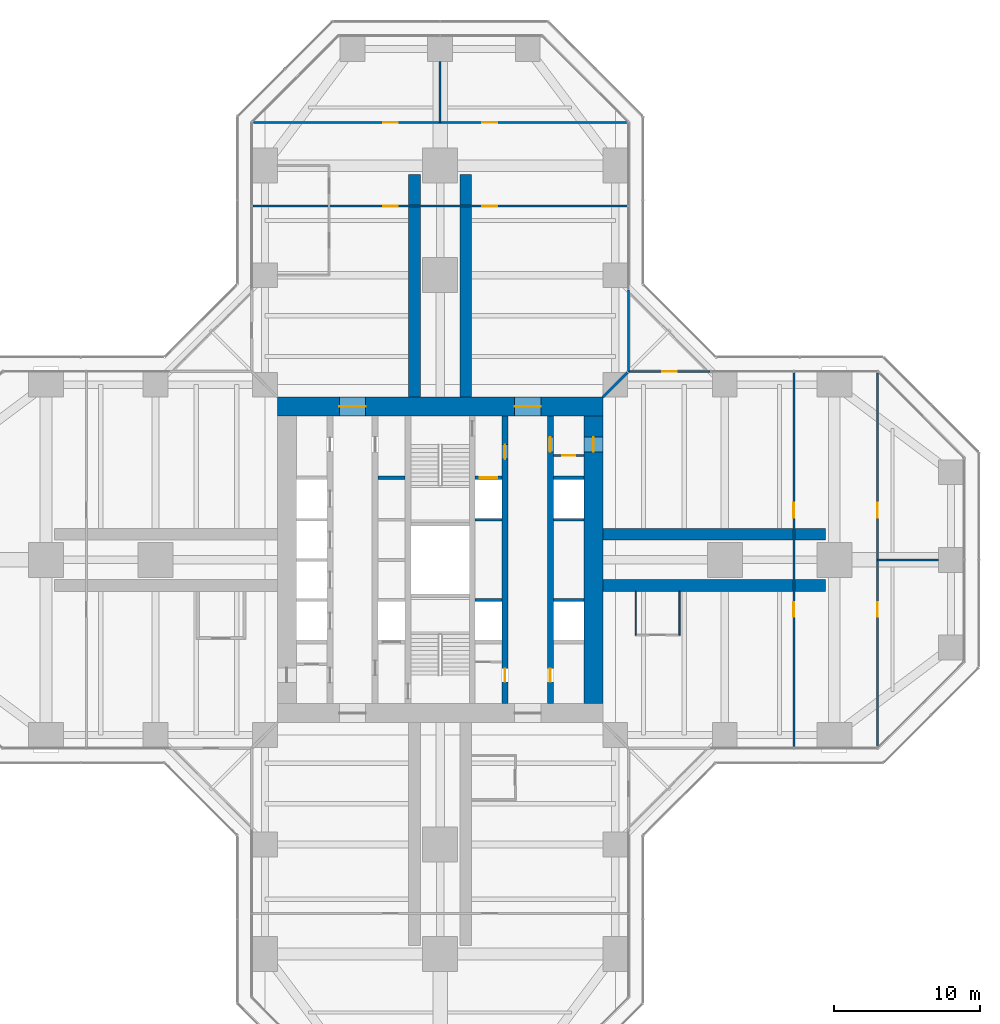
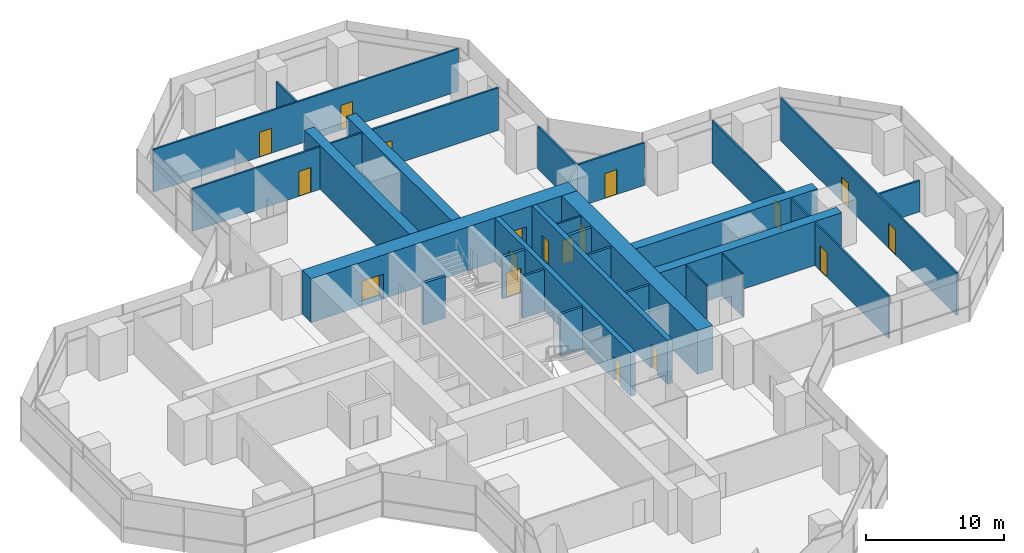
# One storey, part 19 of 22: 27 walls, 18 doors, 18 openings.
"""IFC4 building model written with IfcOpenShell, lengths in metres."""

from ifc_helpers import new_model, si_unit, direction, frame, frame_2d, origin, place, context, subcontext, project, spatial, rectangle, extrude, material, layer, layer_set, type_object, element, fill, save


model = new_model("IFC4")

# Units and contexts
model_context = context("Model", 3, precision=1e-05, world=origin(), true_north=direction((0.0, 1.0)))
body_context = subcontext(model_context, "Body", "Model", "MODEL_VIEW")
ifc_project = project(units=[si_unit("LENGTHUNIT", "METRE"), si_unit("AREAUNIT", "SQUARE_METRE"), si_unit("VOLUMEUNIT", "CUBIC_METRE"), si_unit("PLANEANGLEUNIT", "RADIAN"), si_unit("MASSUNIT", "GRAM", prefix="KILO")], contexts=[model_context])

# Site, building, storey
site_placement = place(None, origin())
site = spatial("IfcSite", under=ifc_project, at=site_placement, CompositionType="ELEMENT")
building_placement = place(site_placement, origin())
building = spatial("IfcBuilding", under=site, at=building_placement, Name="Mizan Broadcast Tower", CompositionType="ELEMENT")
storey_placement = place(building_placement, frame((0.0, 0.0, 109.800048828125)))
storey = spatial("IfcBuildingStorey", under=building, at=storey_placement, Name="L24", CompositionType="ELEMENT", Elevation=109.800048828125)

# Wall, openings, doors
ifc_material_1 = material(Name="Concrete C70/85", Category="concrete")
ifc_layer_1 = layer(ifc_material_1, 0.39990234375)
ifc_layer_set_1 = layer_set([ifc_layer_1], Name="Concrete C70/85")
wall_type_1 = type_object("IfcWallType", Name="CORE INTERNAL WALL 400", PredefinedType="SHEAR", material=ifc_layer_set_1)
wall_1_placement = place(storey_placement, frame((7.550048828125, 9.85009765625, 0.0), z_axis=(0.0, 0.0, 1.0), x_axis=(0.0, -1.0, 0.0)))
wall_1 = element("IfcWall", 1, at=wall_1_placement, inside=storey, type_object=wall_type_1, Name="Core wall CORE/XW1E", PredefinedType="SHEAR", context=body_context, shape_type="SweptSolid", body=[
    extrude(rectangle(XDim=19.7001953125, YDim=0.39990234375, at=frame_2d((9.85009765625, 0.0))), origin(), (0.0, 0.0, 1.0), 3.89990234375),
])
opening_1_placement = place(wall_1_placement, frame((1.449951171875, 0.0, 0.0)))
opening_1 = element("IfcOpeningElement", 2, at=opening_1_placement, cuts=wall_1, Name="Opening D10F", PredefinedType="OPENING", context=body_context, shape_type="SweptSolid", body=[
    extrude(rectangle(XDim=1.0, YDim=2.199951171875, at=frame_2d((0.5, 1.10009765625))), frame((0.0, 0.2099609375, 0.0), z_axis=(0.0, -1.0, 0.0), x_axis=(1.0, 0.0, 0.0)), (0.0, 0.0, 1.0), 0.419921875),
])
opening_2_placement = place(wall_1_placement, frame((17.300048828125, 0.0, 0.0)))
opening_2 = element("IfcOpeningElement", 3, at=opening_2_placement, cuts=wall_1, Name="Opening D09", PredefinedType="OPENING", context=body_context, shape_type="SweptSolid", body=[
    extrude(rectangle(XDim=0.89990234375, YDim=2.10009765625, at=frame_2d((0.449951171875, 1.050048828125))), frame((0.0, 0.2099609375, 0.0), z_axis=(0.0, -1.0, 0.0), x_axis=(1.0, 0.0, 0.0)), (0.0, 0.0, 1.0), 0.419921875),
])
ifc_material_2 = material(Name="Steel door leaf in steel frame", Category="steel")
door_type_1 = type_object("IfcDoorType", Name="FIRE DOOR 1000 FD90", OperationType="SINGLE_SWING_LEFT", PredefinedType="DOOR", material=ifc_material_2)
door_1_placement = place(opening_1_placement, origin())
door_1 = element("IfcDoor", 4, at=door_1_placement, inside=storey, type_object=door_type_1, Name="East core passage door", OperationType="SINGLE_SWING_LEFT", OverallHeight=2.199951171875, OverallWidth=1.0, PredefinedType="DOOR", context=body_context, shape_type="SweptSolid", body=[
    extrude(rectangle(XDim=1.0, YDim=2.199951171875, at=frame_2d((0.5, 1.10009765625))), frame((0.0, 0.02490234375, 0.0), z_axis=(0.0, -1.0, 0.0), x_axis=(1.0, 0.0, 0.0)), (0.0, 0.0, 1.0), 0.050048828125),
])
fill(opening_1, door_1)
ifc_material_3 = material(Name="Timber door leaf in aluminium frame", Category="wood")
door_type_2 = type_object("IfcDoorType", Name="TOILET DOOR 900", OperationType="SINGLE_SWING_LEFT", PredefinedType="DOOR", material=ifc_material_3)
door_2_placement = place(opening_2_placement, origin())
door_2 = element("IfcDoor", 5, at=door_2_placement, inside=storey, type_object=door_type_2, Name="Female WC door", OperationType="SINGLE_SWING_RIGHT", OverallHeight=2.10009765625, OverallWidth=0.89990234375, PredefinedType="DOOR", context=body_context, shape_type="SweptSolid", body=[
    extrude(rectangle(XDim=0.89990234375, YDim=2.10009765625, at=frame_2d((0.449951171875, 1.050048828125))), frame((0.0, 0.02490234375, 0.0), z_axis=(0.0, -1.0, 0.0), x_axis=(1.0, 0.0, 0.0)), (0.0, 0.0, 1.0), 0.050048828125),
])
fill(opening_2, door_2)

wall_2_placement = place(storey_placement, frame((4.449951171875, 9.85009765625, 0.0), z_axis=(0.0, 0.0, 1.0), x_axis=(0.0, -1.0, 0.0)))
wall_2 = element("IfcWall", 6, at=wall_2_placement, inside=storey, type_object=wall_type_1, Name="Core wall CORE/XWHE", PredefinedType="SHEAR", context=body_context, shape_type="SweptSolid", body=[
    extrude(rectangle(XDim=19.7001953125, YDim=0.39990234375, at=frame_2d((9.85009765625, 0.0))), origin(), (0.0, 0.0, 1.0), 3.89990234375),
])
opening_3_placement = place(wall_2_placement, frame((1.949951171875, 0.0, 0.0)))
opening_3 = element("IfcOpeningElement", 7, at=opening_3_placement, cuts=wall_2, Name="Opening D10F", PredefinedType="OPENING", context=body_context, shape_type="SweptSolid", body=[
    extrude(rectangle(XDim=1.0, YDim=2.199951171875, at=frame_2d((0.5, 1.10009765625))), frame((0.0, 0.2099609375, 0.0), z_axis=(0.0, -1.0, 0.0), x_axis=(1.0, 0.0, 0.0)), (0.0, 0.0, 1.0), 0.419921875),
])
opening_4_placement = place(wall_2_placement, frame((17.300048828125, 0.0, 0.0)))
opening_4 = element("IfcOpeningElement", 8, at=opening_4_placement, cuts=wall_2, Name="Opening D09", PredefinedType="OPENING", context=body_context, shape_type="SweptSolid", body=[
    extrude(rectangle(XDim=0.89990234375, YDim=2.10009765625, at=frame_2d((0.449951171875, 1.050048828125))), frame((0.0, 0.2099609375, 0.0), z_axis=(0.0, -1.0, 0.0), x_axis=(1.0, 0.0, 0.0)), (0.0, 0.0, 1.0), 0.419921875),
])
door_3_placement = place(opening_3_placement, origin())
door_3 = element("IfcDoor", 9, at=door_3_placement, inside=storey, type_object=door_type_1, Name="Firefighting lobby B door", OperationType="SINGLE_SWING_LEFT", OverallHeight=2.199951171875, OverallWidth=1.0, PredefinedType="DOOR", context=body_context, shape_type="SweptSolid", body=[
    extrude(rectangle(XDim=1.0, YDim=2.199951171875, at=frame_2d((0.5, 1.10009765625))), frame((0.0, 0.02490234375, 0.0), z_axis=(0.0, -1.0, 0.0), x_axis=(1.0, 0.0, 0.0)), (0.0, 0.0, 1.0), 0.050048828125),
])
fill(opening_3, door_3)
door_4_placement = place(opening_4_placement, origin())
door_4 = element("IfcDoor", 10, at=door_4_placement, inside=storey, type_object=door_type_2, Name="Cleaner's store door", OperationType="SINGLE_SWING_RIGHT", OverallHeight=2.10009765625, OverallWidth=0.89990234375, PredefinedType="DOOR", context=body_context, shape_type="SweptSolid", body=[
    extrude(rectangle(XDim=0.89990234375, YDim=2.10009765625, at=frame_2d((0.449951171875, 1.050048828125))), frame((0.0, 0.02490234375, 0.0), z_axis=(0.0, -1.0, 0.0), x_axis=(1.0, 0.0, 0.0)), (0.0, 0.0, 1.0), 0.050048828125),
])
fill(opening_4, door_4)

# Wall, opening, door
ifc_material_4 = material(Name="Concrete blockwork", Category="masonry")
ifc_layer_2 = layer(ifc_material_4, 0.14990234375)
ifc_layer_set_2 = layer_set([ifc_layer_2], Name="Concrete blockwork")
wall_type_2 = type_object("IfcWallType", Name="CORE PARTITION 150", PredefinedType="SOLIDWALL", material=ifc_layer_set_2)
wall_3_placement = place(storey_placement, frame((9.85009765625, 7.14990234375, 0.0), z_axis=(0.0, 0.0, 1.0), x_axis=(-1.0, 0.0, 0.0)))
wall_3 = element("IfcWall", 11, at=wall_3_placement, inside=storey, type_object=wall_type_2, Name="Core partition CORE/XPE", PredefinedType="SOLIDWALL", context=body_context, shape_type="SweptSolid", body=[
    extrude(rectangle(XDim=2.10009765625, YDim=0.14990234375, at=frame_2d((1.050048828125, 0.0))), origin(), (0.0, 0.0, 1.0), 3.77001953125),
])
opening_5_placement = place(wall_3_placement, frame((0.60009765625, 0.0, 0.0)))
opening_5 = element("IfcOpeningElement", 12, at=opening_5_placement, cuts=wall_3, Name="Opening D09F", PredefinedType="OPENING", context=body_context, shape_type="SweptSolid", body=[
    extrude(rectangle(XDim=0.89990234375, YDim=2.10009765625, at=frame_2d((0.449951171875, 1.050048828125))), frame((0.0, 0.0849609375, 0.0), z_axis=(0.0, -1.0, 0.0), x_axis=(1.0, 0.0, 0.0)), (0.0, 0.0, 1.0), 0.169921875),
])
ifc_material_5 = material(Name="Steel door leaf in steel frame", Category="steel")
door_type_3 = type_object("IfcDoorType", Name="CORE ROOM DOOR 900 FD90", OperationType="SINGLE_SWING_LEFT", PredefinedType="DOOR", material=ifc_material_5)
door_5_placement = place(opening_5_placement, origin())
door_5 = element("IfcDoor", 13, at=door_5_placement, inside=storey, type_object=door_type_3, Name="Electrical cupboard door", OperationType="SINGLE_SWING_RIGHT", OverallHeight=2.10009765625, OverallWidth=0.89990234375, PredefinedType="DOOR", context=body_context, shape_type="SweptSolid", body=[
    extrude(rectangle(XDim=0.89990234375, YDim=2.10009765625, at=frame_2d((0.449951171875, 1.050048828125))), frame((0.0, 0.02490234375, 0.0), z_axis=(0.0, -1.0, 0.0), x_axis=(1.0, 0.0, 0.0)), (0.0, 0.0, 1.0), 0.050048828125),
])
fill(opening_5, door_5)

# Wall, openings, doors
ifc_material_6 = material(Name="Concrete C70/85", Category="concrete")
ifc_layer_3 = layer(ifc_material_6, 1.300048828125)
ifc_layer_set_3 = layer_set([ifc_layer_3], Name="Concrete C70/85")
wall_type_3 = type_object("IfcWallType", Name="CORE WALL 1300", PredefinedType="SHEAR", material=ifc_layer_set_3)
wall_4_placement = place(storey_placement, frame((-11.14990234375, 10.5, 0.0), z_axis=(0.0, 0.0, 1.0), x_axis=(1.0, 0.0, 0.0)))
wall_4 = element("IfcWall", 14, at=wall_4_placement, inside=storey, type_object=wall_type_3, Name="Core wall N L24", PredefinedType="SHEAR", context=body_context, shape_type="SweptSolid", body=[
    extrude(rectangle(XDim=22.2998046875, YDim=1.300048828125, at=frame_2d((11.14990234375, 0.0))), origin(), (0.0, 0.0, 1.0), 3.89990234375),
])
opening_6_placement = place(wall_4_placement, frame((4.25, 0.0, 0.0)))
opening_6 = element("IfcOpeningElement", 15, at=opening_6_placement, cuts=wall_4, Name="Opening D18F", PredefinedType="OPENING", context=body_context, shape_type="SweptSolid", body=[
    extrude(rectangle(XDim=1.800048828125, YDim=2.199951171875, at=frame_2d((0.89990234375, 1.10009765625))), frame((0.0, 0.659912109375, 0.0), z_axis=(0.0, -1.0, 0.0), x_axis=(1.0, 0.0, 0.0)), (0.0, 0.0, 1.0), 1.320068359375),
])
opening_7_placement = place(wall_4_placement, frame((16.25, 0.0, 0.0)))
opening_7 = element("IfcOpeningElement", 16, at=opening_7_placement, cuts=wall_4, Name="Opening D18F", PredefinedType="OPENING", context=body_context, shape_type="SweptSolid", body=[
    extrude(rectangle(XDim=1.800048828125, YDim=2.199951171875, at=frame_2d((0.89990234375, 1.10009765625))), frame((0.0, 0.659912109375, 0.0), z_axis=(0.0, -1.0, 0.0), x_axis=(1.0, 0.0, 0.0)), (0.0, 0.0, 1.0), 1.320068359375),
])
ifc_material_7 = material(Name="Steel door leaf in steel frame", Category="steel")
door_type_4 = type_object("IfcDoorType", Name="LOBBY DOUBLE DOOR 1800 FD90", OperationType="DOUBLE_DOOR_DOUBLE_SWING", PredefinedType="DOOR", material=ifc_material_7)
door_6_placement = place(opening_6_placement, origin())
door_6 = element("IfcDoor", 17, at=door_6_placement, inside=storey, type_object=door_type_4, Name="West lift lobby north door", OperationType="DOUBLE_DOOR_DOUBLE_SWING", OverallHeight=2.199951171875, OverallWidth=1.800048828125, PredefinedType="DOOR", context=body_context, shape_type="SweptSolid", body=[
    extrude(rectangle(XDim=1.800048828125, YDim=2.199951171875, at=frame_2d((0.89990234375, 1.10009765625))), frame((0.0, 0.02490234375, 0.0), z_axis=(0.0, -1.0, 0.0), x_axis=(1.0, 0.0, 0.0)), (0.0, 0.0, 1.0), 0.050048828125),
])
fill(opening_6, door_6)
door_7_placement = place(opening_7_placement, origin())
door_7 = element("IfcDoor", 18, at=door_7_placement, inside=storey, type_object=door_type_4, Name="East lift lobby north door", OperationType="DOUBLE_DOOR_DOUBLE_SWING", OverallHeight=2.199951171875, OverallWidth=1.800048828125, PredefinedType="DOOR", context=body_context, shape_type="SweptSolid", body=[
    extrude(rectangle(XDim=1.800048828125, YDim=2.199951171875, at=frame_2d((0.89990234375, 1.10009765625))), frame((0.0, 0.02490234375, 0.0), z_axis=(0.0, -1.0, 0.0), x_axis=(1.0, 0.0, 0.0)), (0.0, 0.0, 1.0), 0.050048828125),
])
fill(opening_7, door_7)

# Wall, opening, door
wall_5_placement = place(storey_placement, frame((10.5, -9.85009765625, 0.0), z_axis=(0.0, 0.0, 1.0), x_axis=(0.0, 1.0, 0.0)))
wall_5 = element("IfcWall", 19, at=wall_5_placement, inside=storey, type_object=wall_type_3, Name="Core wall E L24", PredefinedType="SHEAR", context=body_context, shape_type="SweptSolid", body=[
    extrude(rectangle(XDim=19.7001953125, YDim=1.300048828125, at=frame_2d((9.85009765625, 0.0))), origin(), (0.0, 0.0, 1.0), 3.89990234375),
])
opening_8_placement = place(wall_5_placement, frame((17.25, 0.0, 0.0)))
opening_8 = element("IfcOpeningElement", 20, at=opening_8_placement, cuts=wall_5, Name="Opening D10F", PredefinedType="OPENING", context=body_context, shape_type="SweptSolid", body=[
    extrude(rectangle(XDim=1.0, YDim=2.199951171875, at=frame_2d((0.5, 1.10009765625))), frame((0.0, 0.659912109375, 0.0), z_axis=(0.0, -1.0, 0.0), x_axis=(1.0, 0.0, 0.0)), (0.0, 0.0, 1.0), 1.320068359375),
])
door_8_placement = place(opening_8_placement, origin())
door_8 = element("IfcDoor", 21, at=door_8_placement, inside=storey, type_object=door_type_1, Name="East core passage arm door", OperationType="SINGLE_SWING_RIGHT", OverallHeight=2.199951171875, OverallWidth=1.0, PredefinedType="DOOR", context=body_context, shape_type="SweptSolid", body=[
    extrude(rectangle(XDim=1.0, YDim=2.199951171875, at=frame_2d((0.5, 1.10009765625))), frame((0.0, 0.02490234375, 0.0), z_axis=(0.0, -1.0, 0.0), x_axis=(1.0, 0.0, 0.0)), (0.0, 0.0, 1.0), 0.050048828125),
])
fill(opening_8, door_8)

ifc_material_8 = material(Name="Aluminium framed glazed screen", Category="aluminium")
ifc_layer_4 = layer(ifc_material_8, 0.159912109375)
ifc_layer_set_4 = layer_set([ifc_layer_4], Name="Aluminium framed glazed screen")
wall_type_4 = type_object("IfcWallType", Name="GLAZED SCREEN WALL 160", PredefinedType="SOLIDWALL", material=ifc_layer_set_4)
wall_6_placement = place(storey_placement, frame((18.5, 12.89990234375, 0.0), z_axis=(0.0, 0.0, 1.0), x_axis=(-1.0, 0.0, 0.0)))
wall_6 = element("IfcWall", 22, at=wall_6_placement, inside=storey, type_object=wall_type_4, Name="Winter garden screen L24 E", PredefinedType="SOLIDWALL", context=body_context, shape_type="SweptSolid", body=[
    extrude(rectangle(XDim=5.60009765625, YDim=0.159912109375, at=frame_2d((2.800048828125, 0.0))), origin(), (0.0, 0.0, 1.0), 3.77001953125),
])
opening_9_placement = place(wall_6_placement, frame((2.300048828125, 0.0, 0.0)))
opening_9 = element("IfcOpeningElement", 23, at=opening_9_placement, cuts=wall_6, Name="Opening WGD", PredefinedType="OPENING", context=body_context, shape_type="SweptSolid", body=[
    extrude(rectangle(XDim=1.0, YDim=2.199951171875, at=frame_2d((0.5, 1.10009765625))), frame((0.0, 0.08984375, 0.0), z_axis=(0.0, -1.0, 0.0), x_axis=(1.0, 0.0, 0.0)), (0.0, 0.0, 1.0), 0.179931640625),
])
ifc_material_9 = material(Name="Aluminium framed glazed door", Category="aluminium")
door_type_5 = type_object("IfcDoorType", Name="WINTER GARDEN DOOR 1000 GLAZED", OperationType="SINGLE_SWING_LEFT", PredefinedType="DOOR", material=ifc_material_9)
door_9_placement = place(opening_9_placement, origin())
door_9 = element("IfcDoor", 24, at=door_9_placement, inside=storey, type_object=door_type_5, Name="Winter garden door L24 E", OperationType="SINGLE_SWING_RIGHT", OverallHeight=2.199951171875, OverallWidth=1.0, PredefinedType="DOOR", context=body_context, shape_type="SweptSolid", body=[
    extrude(rectangle(XDim=1.0, YDim=2.199951171875, at=frame_2d((0.5, 1.10009765625))), frame((0.0, 0.02490234375, 0.0), z_axis=(0.0, -1.0, 0.0), x_axis=(1.0, 0.0, 0.0)), (0.0, 0.0, 1.0), 0.050048828125),
])
fill(opening_9, door_9)

# Walls
wall_7_placement = place(storey_placement, frame((12.89990234375, 12.89990234375, 0.0), z_axis=(0.0, 0.0, 1.0), x_axis=(0.0, 1.0, 0.0)))
element("IfcWall", 25, at=wall_7_placement, inside=storey, type_object=wall_type_4, Name="Winter garden screen L24 N", PredefinedType="SOLIDWALL", context=body_context, shape_type="SweptSolid", body=[
    extrude(rectangle(XDim=5.60009765625, YDim=0.159912109375, at=frame_2d((2.800048828125, 0.0))), origin(), (0.0, 0.0, 1.0), 3.77001953125),
])
ifc_material_10 = material(Name="Concrete blockwork", Category="masonry")
ifc_layer_5 = layer(ifc_material_10, 0.199951171875)
ifc_layer_set_5 = layer_set([ifc_layer_5], Name="Concrete blockwork")
wall_type_5 = type_object("IfcWallType", Name="LIFT SHAFT WALL 200", PredefinedType="SOLIDWALL", material=ifc_layer_set_5)
wall_8_placement = place(storey_placement, frame((2.39990234375, -2.75, 0.0), z_axis=(0.0, 0.0, 1.0), x_axis=(1.0, 0.0, 0.0)))
element("IfcWall", 26, at=wall_8_placement, inside=storey, type_object=wall_type_5, Name="Lift shaft wall CORE/SE2-1", PredefinedType="SOLIDWALL", context=body_context, shape_type="SweptSolid", body=[
    extrude(rectangle(XDim=1.85009765625, YDim=0.199951171875, at=frame_2d((0.925048828125, 0.0))), origin(), (0.0, 0.0, 1.0), 3.699951171875),
])
wall_9_placement = place(storey_placement, frame((7.75, -2.75, 0.0), z_axis=(0.0, 0.0, 1.0), x_axis=(1.0, 0.0, 0.0)))
element("IfcWall", 27, at=wall_9_placement, inside=storey, type_object=wall_type_5, Name="Lift shaft wall CORE/SE1-1", PredefinedType="SOLIDWALL", context=body_context, shape_type="SweptSolid", body=[
    extrude(rectangle(XDim=2.10009765625, YDim=0.199951171875, at=frame_2d((1.050048828125, 0.0))), origin(), (0.0, 0.0, 1.0), 3.699951171875),
])
wall_10_placement = place(storey_placement, frame((2.39990234375, 2.75, 0.0), z_axis=(0.0, 0.0, 1.0), x_axis=(1.0, 0.0, 0.0)))
element("IfcWall", 28, at=wall_10_placement, inside=storey, type_object=wall_type_5, Name="Lift shaft wall CORE/SE2-3", PredefinedType="SOLIDWALL", context=body_context, shape_type="SweptSolid", body=[
    extrude(rectangle(XDim=1.85009765625, YDim=0.199951171875, at=frame_2d((0.925048828125, 0.0))), origin(), (0.0, 0.0, 1.0), 3.699951171875),
])
wall_11_placement = place(storey_placement, frame((7.75, 2.75, 0.0), z_axis=(0.0, 0.0, 1.0), x_axis=(1.0, 0.0, 0.0)))
element("IfcWall", 29, at=wall_11_placement, inside=storey, type_object=wall_type_5, Name="Lift shaft wall CORE/SE1-3", PredefinedType="SOLIDWALL", context=body_context, shape_type="SweptSolid", body=[
    extrude(rectangle(XDim=2.10009765625, YDim=0.199951171875, at=frame_2d((1.050048828125, 0.0))), origin(), (0.0, 0.0, 1.0), 3.699951171875),
])
ifc_material_11 = material(Name="Concrete blockwork", Category="masonry")
ifc_layer_6 = layer(ifc_material_11, 0.25)
ifc_layer_set_6 = layer_set([ifc_layer_6], Name="Concrete blockwork")
wall_type_6 = type_object("IfcWallType", Name="LOBBY ENCLOSURE WALL 250", PredefinedType="SOLIDWALL", material=ifc_layer_set_6)
wall_12_placement = place(storey_placement, frame((-4.25, 5.625, 0.0), z_axis=(0.0, 0.0, 1.0), x_axis=(1.0, 0.0, 0.0)))
element("IfcWall", 30, at=wall_12_placement, inside=storey, type_object=wall_type_6, Name="Lobby enclosure wall CORE/BW2N", PredefinedType="SOLIDWALL", context=body_context, shape_type="SweptSolid", body=[
    extrude(rectangle(XDim=1.85009765625, YDim=0.25, at=frame_2d((0.925048828125, 0.0))), origin(), (0.0, 0.0, 1.0), 3.699951171875),
])

# Wall, opening, door
wall_13_placement = place(storey_placement, frame((2.39990234375, 5.625, 0.0), z_axis=(0.0, 0.0, 1.0), x_axis=(1.0, 0.0, 0.0)))
wall_13 = element("IfcWall", 31, at=wall_13_placement, inside=storey, type_object=wall_type_6, Name="Lobby enclosure wall CORE/BE2N", PredefinedType="SOLIDWALL", context=body_context, shape_type="SweptSolid", body=[
    extrude(rectangle(XDim=1.85009765625, YDim=0.25, at=frame_2d((0.925048828125, 0.0))), origin(), (0.0, 0.0, 1.0), 3.699951171875),
])
opening_10_placement = place(wall_13_placement, frame((0.324951171875, 0.0, 0.0)))
opening_10 = element("IfcOpeningElement", 32, at=opening_10_placement, cuts=wall_13, Name="Opening LDF", PredefinedType="OPENING", context=body_context, shape_type="SweptSolid", body=[
    extrude(rectangle(XDim=1.199951171875, YDim=2.199951171875, at=frame_2d((0.60009765625, 1.10009765625))), frame((0.0, 0.135009765625, 0.0), z_axis=(0.0, -1.0, 0.0), x_axis=(1.0, 0.0, 0.0)), (0.0, 0.0, 1.0), 0.27001953125),
])
ifc_material_12 = material(Name="Steel door leaf in steel frame", Category="steel")
door_type_6 = type_object("IfcDoorType", Name="FIREFIGHTING LIFT LANDING DOOR 1200", OperationType="SLIDING_TO_LEFT", PredefinedType="DOOR", material=ifc_material_12)
door_10_placement = place(opening_10_placement, origin())
door_10 = element("IfcDoor", 33, at=door_10_placement, inside=storey, type_object=door_type_6, Name="Landing door FF2", OperationType="SLIDING_TO_LEFT", OverallHeight=2.199951171875, OverallWidth=1.199951171875, PredefinedType="DOOR", context=body_context, shape_type="SweptSolid", body=[
    extrude(rectangle(XDim=1.199951171875, YDim=2.199951171875, at=frame_2d((0.60009765625, 1.10009765625))), frame((0.0, 0.02490234375, 0.0), z_axis=(0.0, -1.0, 0.0), x_axis=(1.0, 0.0, 0.0)), (0.0, 0.0, 1.0), 0.050048828125),
])
fill(opening_10, door_10)

# Wall
wall_14_placement = place(storey_placement, frame((7.75, 5.625, 0.0), z_axis=(0.0, 0.0, 1.0), x_axis=(1.0, 0.0, 0.0)))
element("IfcWall", 34, at=wall_14_placement, inside=storey, type_object=wall_type_6, Name="Lobby enclosure wall CORE/BE1N", PredefinedType="SOLIDWALL", context=body_context, shape_type="SweptSolid", body=[
    extrude(rectangle(XDim=2.10009765625, YDim=0.25, at=frame_2d((1.050048828125, 0.0))), origin(), (0.0, 0.0, 1.0), 3.699951171875),
])

# Wall, openings, doors
ifc_material_13 = material(Name="Gypsum board on steel studs", Category="steel")
ifc_layer_7 = layer(ifc_material_13, 0.14990234375)
ifc_layer_set_7 = layer_set([ifc_layer_7], Name="Gypsum board on steel studs")
wall_type_7 = type_object("IfcWallType", Name="PARTITION 150", PredefinedType="PARTITIONING", material=ifc_layer_set_7)
wall_15_placement = place(storey_placement, frame((24.22900390625, -12.820068359375, 0.0), z_axis=(0.0, 0.0, 1.0), x_axis=(0.0, 1.0, 0.0)))
wall_15 = element("IfcWall", 35, at=wall_15_placement, inside=storey, type_object=wall_type_7, Name="Partition PT/EX1", PredefinedType="PARTITIONING", context=body_context, shape_type="SweptSolid", body=[
    extrude(rectangle(XDim=25.64013671875, YDim=0.14990234375, at=frame_2d((12.820068359375, 0.0))), origin(), (0.0, 0.0, 1.0), 3.77001953125),
])
opening_11_placement = place(wall_15_placement, frame((15.719970703125, 0.0, 0.0)))
opening_11 = element("IfcOpeningElement", 36, at=opening_11_placement, cuts=wall_15, Name="Opening D10", PredefinedType="OPENING", context=body_context, shape_type="SweptSolid", body=[
    extrude(rectangle(XDim=1.0, YDim=2.199951171875, at=frame_2d((0.5, 1.10009765625))), frame((0.0, 0.0849609375, 0.0), z_axis=(0.0, -1.0, 0.0), x_axis=(1.0, 0.0, 0.0)), (0.0, 0.0, 1.0), 0.169921875),
])
opening_12_placement = place(wall_15_placement, frame((8.919921875, 0.0, 0.0)))
opening_12 = element("IfcOpeningElement", 37, at=opening_12_placement, cuts=wall_15, Name="Opening D10", PredefinedType="OPENING", context=body_context, shape_type="SweptSolid", body=[
    extrude(rectangle(XDim=1.0, YDim=2.199951171875, at=frame_2d((0.5, 1.10009765625))), frame((0.0, 0.0849609375, 0.0), z_axis=(0.0, -1.0, 0.0), x_axis=(1.0, 0.0, 0.0)), (0.0, 0.0, 1.0), 0.169921875),
])
ifc_material_14 = material(Name="Timber door leaf in aluminium frame", Category="wood")
door_type_7 = type_object("IfcDoorType", Name="ROOM DOOR 1000", OperationType="SINGLE_SWING_LEFT", PredefinedType="DOOR", material=ifc_material_14)
door_11_placement = place(opening_11_placement, origin())
door_11 = element("IfcDoor", 38, at=door_11_placement, inside=storey, type_object=door_type_7, Name="Training room door", OperationType="SINGLE_SWING_RIGHT", OverallHeight=2.199951171875, OverallWidth=1.0, PredefinedType="DOOR", context=body_context, shape_type="SweptSolid", body=[
    extrude(rectangle(XDim=1.0, YDim=2.199951171875, at=frame_2d((0.5, 1.10009765625))), frame((0.0, 0.02490234375, 0.0), z_axis=(0.0, -1.0, 0.0), x_axis=(1.0, 0.0, 0.0)), (0.0, 0.0, 1.0), 0.050048828125),
])
fill(opening_11, door_11)
door_12_placement = place(opening_12_placement, origin())
door_12 = element("IfcDoor", 39, at=door_12_placement, inside=storey, type_object=door_type_7, Name="Training room door", OperationType="SINGLE_SWING_LEFT", OverallHeight=2.199951171875, OverallWidth=1.0, PredefinedType="DOOR", context=body_context, shape_type="SweptSolid", body=[
    extrude(rectangle(XDim=1.0, YDim=2.199951171875, at=frame_2d((0.5, 1.10009765625))), frame((0.0, 0.02490234375, 0.0), z_axis=(0.0, -1.0, 0.0), x_axis=(1.0, 0.0, 0.0)), (0.0, 0.0, 1.0), 0.050048828125),
])
fill(opening_12, door_12)

wall_16_placement = place(storey_placement, frame((29.958984375, -12.786376953125, 0.0), z_axis=(0.0, 0.0, 1.0), x_axis=(0.0, 1.0, 0.0)))
wall_16 = element("IfcWall", 40, at=wall_16_placement, inside=storey, type_object=wall_type_7, Name="Partition PT/EX2", PredefinedType="PARTITIONING", context=body_context, shape_type="SweptSolid", body=[
    extrude(rectangle(XDim=25.57275390625, YDim=0.14990234375, at=frame_2d((12.786376953125, 0.0))), origin(), (0.0, 0.0, 1.0), 3.77001953125),
])
opening_13_placement = place(wall_16_placement, frame((15.6865234375, 0.0, 0.0)))
opening_13 = element("IfcOpeningElement", 41, at=opening_13_placement, cuts=wall_16, Name="Opening D10", PredefinedType="OPENING", context=body_context, shape_type="SweptSolid", body=[
    extrude(rectangle(XDim=1.0, YDim=2.199951171875, at=frame_2d((0.5, 1.10009765625))), frame((0.0, 0.0849609375, 0.0), z_axis=(0.0, -1.0, 0.0), x_axis=(1.0, 0.0, 0.0)), (0.0, 0.0, 1.0), 0.169921875),
])
opening_14_placement = place(wall_16_placement, frame((8.886474609375, 0.0, 0.0)))
opening_14 = element("IfcOpeningElement", 42, at=opening_14_placement, cuts=wall_16, Name="Opening D10", PredefinedType="OPENING", context=body_context, shape_type="SweptSolid", body=[
    extrude(rectangle(XDim=1.0, YDim=2.199951171875, at=frame_2d((0.5, 1.10009765625))), frame((0.0, 0.0849609375, 0.0), z_axis=(0.0, -1.0, 0.0), x_axis=(1.0, 0.0, 0.0)), (0.0, 0.0, 1.0), 0.169921875),
])
door_13_placement = place(opening_13_placement, origin())
door_13 = element("IfcDoor", 43, at=door_13_placement, inside=storey, type_object=door_type_7, Name="Open office door", OperationType="SINGLE_SWING_RIGHT", OverallHeight=2.199951171875, OverallWidth=1.0, PredefinedType="DOOR", context=body_context, shape_type="SweptSolid", body=[
    extrude(rectangle(XDim=1.0, YDim=2.199951171875, at=frame_2d((0.5, 1.10009765625))), frame((0.0, 0.02490234375, 0.0), z_axis=(0.0, -1.0, 0.0), x_axis=(1.0, 0.0, 0.0)), (0.0, 0.0, 1.0), 0.050048828125),
])
fill(opening_13, door_13)
door_14_placement = place(opening_14_placement, origin())
door_14 = element("IfcDoor", 44, at=door_14_placement, inside=storey, type_object=door_type_7, Name="Open office door", OperationType="SINGLE_SWING_LEFT", OverallHeight=2.199951171875, OverallWidth=1.0, PredefinedType="DOOR", context=body_context, shape_type="SweptSolid", body=[
    extrude(rectangle(XDim=1.0, YDim=2.199951171875, at=frame_2d((0.5, 1.10009765625))), frame((0.0, 0.02490234375, 0.0), z_axis=(0.0, -1.0, 0.0), x_axis=(1.0, 0.0, 0.0)), (0.0, 0.0, 1.0), 0.050048828125),
])
fill(opening_14, door_14)

# Wall
wall_17_placement = place(storey_placement, frame((29.958984375, 0.0, 0.0), z_axis=(0.0, 0.0, 1.0), x_axis=(1.0, 0.0, 0.0)))
element("IfcWall", 45, at=wall_17_placement, inside=storey, type_object=wall_type_7, Name="Partition PT/EES", PredefinedType="PARTITIONING", context=body_context, shape_type="SweptSolid", body=[
    extrude(rectangle(XDim=4.19091796875, YDim=0.14990234375, at=frame_2d((2.095458984375, 0.0))), origin(), (0.0, 0.0, 1.0), 2.77001953125),
])

# Wall, openings, doors
wall_18_placement = place(storey_placement, frame((12.820068359375, 24.22900390625, 0.0), z_axis=(0.0, 0.0, 1.0), x_axis=(-1.0, 0.0, 0.0)))
wall_18 = element("IfcWall", 46, at=wall_18_placement, inside=storey, type_object=wall_type_7, Name="Partition PT/NX1", PredefinedType="PARTITIONING", context=body_context, shape_type="SweptSolid", body=[
    extrude(rectangle(XDim=25.64013671875, YDim=0.14990234375, at=frame_2d((12.820068359375, 0.0))), origin(), (0.0, 0.0, 1.0), 3.77001953125),
])
opening_15_placement = place(wall_18_placement, frame((15.719970703125, 0.0, 0.0)))
opening_15 = element("IfcOpeningElement", 47, at=opening_15_placement, cuts=wall_18, Name="Opening D10", PredefinedType="OPENING", context=body_context, shape_type="SweptSolid", body=[
    extrude(rectangle(XDim=1.0, YDim=2.199951171875, at=frame_2d((0.5, 1.10009765625))), frame((0.0, 0.0849609375, 0.0), z_axis=(0.0, -1.0, 0.0), x_axis=(1.0, 0.0, 0.0)), (0.0, 0.0, 1.0), 0.169921875),
])
opening_16_placement = place(wall_18_placement, frame((8.919921875, 0.0, 0.0)))
opening_16 = element("IfcOpeningElement", 48, at=opening_16_placement, cuts=wall_18, Name="Opening D10", PredefinedType="OPENING", context=body_context, shape_type="SweptSolid", body=[
    extrude(rectangle(XDim=1.0, YDim=2.199951171875, at=frame_2d((0.5, 1.10009765625))), frame((0.0, 0.0849609375, 0.0), z_axis=(0.0, -1.0, 0.0), x_axis=(1.0, 0.0, 0.0)), (0.0, 0.0, 1.0), 0.169921875),
])
door_15_placement = place(opening_15_placement, origin())
door_15 = element("IfcDoor", 49, at=door_15_placement, inside=storey, type_object=door_type_7, Name="Open office door", OperationType="SINGLE_SWING_RIGHT", OverallHeight=2.199951171875, OverallWidth=1.0, PredefinedType="DOOR", context=body_context, shape_type="SweptSolid", body=[
    extrude(rectangle(XDim=1.0, YDim=2.199951171875, at=frame_2d((0.5, 1.10009765625))), frame((0.0, 0.02490234375, 0.0), z_axis=(0.0, -1.0, 0.0), x_axis=(1.0, 0.0, 0.0)), (0.0, 0.0, 1.0), 0.050048828125),
])
fill(opening_15, door_15)
door_16_placement = place(opening_16_placement, origin())
door_16 = element("IfcDoor", 50, at=door_16_placement, inside=storey, type_object=door_type_7, Name="Open office door", OperationType="SINGLE_SWING_LEFT", OverallHeight=2.199951171875, OverallWidth=1.0, PredefinedType="DOOR", context=body_context, shape_type="SweptSolid", body=[
    extrude(rectangle(XDim=1.0, YDim=2.199951171875, at=frame_2d((0.5, 1.10009765625))), frame((0.0, 0.02490234375, 0.0), z_axis=(0.0, -1.0, 0.0), x_axis=(1.0, 0.0, 0.0)), (0.0, 0.0, 1.0), 0.050048828125),
])
fill(opening_16, door_16)

wall_19_placement = place(storey_placement, frame((12.786376953125, 29.958984375, 0.0), z_axis=(0.0, 0.0, 1.0), x_axis=(-1.0, 0.0, 0.0)))
wall_19 = element("IfcWall", 51, at=wall_19_placement, inside=storey, type_object=wall_type_7, Name="Partition PT/NX2", PredefinedType="PARTITIONING", context=body_context, shape_type="SweptSolid", body=[
    extrude(rectangle(XDim=25.57275390625, YDim=0.14990234375, at=frame_2d((12.786376953125, 0.0))), origin(), (0.0, 0.0, 1.0), 3.77001953125),
])
opening_17_placement = place(wall_19_placement, frame((15.6865234375, 0.0, 0.0)))
opening_17 = element("IfcOpeningElement", 52, at=opening_17_placement, cuts=wall_19, Name="Opening D10", PredefinedType="OPENING", context=body_context, shape_type="SweptSolid", body=[
    extrude(rectangle(XDim=1.0, YDim=2.199951171875, at=frame_2d((0.5, 1.10009765625))), frame((0.0, 0.0849609375, 0.0), z_axis=(0.0, -1.0, 0.0), x_axis=(1.0, 0.0, 0.0)), (0.0, 0.0, 1.0), 0.169921875),
])
opening_18_placement = place(wall_19_placement, frame((8.886474609375, 0.0, 0.0)))
opening_18 = element("IfcOpeningElement", 53, at=opening_18_placement, cuts=wall_19, Name="Opening D10", PredefinedType="OPENING", context=body_context, shape_type="SweptSolid", body=[
    extrude(rectangle(XDim=1.0, YDim=2.199951171875, at=frame_2d((0.5, 1.10009765625))), frame((0.0, 0.0849609375, 0.0), z_axis=(0.0, -1.0, 0.0), x_axis=(1.0, 0.0, 0.0)), (0.0, 0.0, 1.0), 0.169921875),
])
door_17_placement = place(opening_17_placement, origin())
door_17 = element("IfcDoor", 54, at=door_17_placement, inside=storey, type_object=door_type_7, Name="Open office door", OperationType="SINGLE_SWING_RIGHT", OverallHeight=2.199951171875, OverallWidth=1.0, PredefinedType="DOOR", context=body_context, shape_type="SweptSolid", body=[
    extrude(rectangle(XDim=1.0, YDim=2.199951171875, at=frame_2d((0.5, 1.10009765625))), frame((0.0, 0.02490234375, 0.0), z_axis=(0.0, -1.0, 0.0), x_axis=(1.0, 0.0, 0.0)), (0.0, 0.0, 1.0), 0.050048828125),
])
fill(opening_17, door_17)
door_18_placement = place(opening_18_placement, origin())
door_18 = element("IfcDoor", 55, at=door_18_placement, inside=storey, type_object=door_type_7, Name="Open office door", OperationType="SINGLE_SWING_LEFT", OverallHeight=2.199951171875, OverallWidth=1.0, PredefinedType="DOOR", context=body_context, shape_type="SweptSolid", body=[
    extrude(rectangle(XDim=1.0, YDim=2.199951171875, at=frame_2d((0.5, 1.10009765625))), frame((0.0, 0.02490234375, 0.0), z_axis=(0.0, -1.0, 0.0), x_axis=(1.0, 0.0, 0.0)), (0.0, 0.0, 1.0), 0.050048828125),
])
fill(opening_18, door_18)

# Walls
wall_20_placement = place(storey_placement, frame((0.0, 29.958984375, 0.0), z_axis=(0.0, 0.0, 1.0), x_axis=(0.0, 1.0, 0.0)))
element("IfcWall", 56, at=wall_20_placement, inside=storey, type_object=wall_type_7, Name="Partition PT/NES", PredefinedType="PARTITIONING", context=body_context, shape_type="SweptSolid", body=[
    extrude(rectangle(XDim=4.19091796875, YDim=0.14990234375, at=frame_2d((2.095458984375, 0.0))), origin(), (0.0, 0.0, 1.0), 2.77001953125),
])
wall_21_placement = place(storey_placement, frame((11.14990234375, 11.14990234375, 0.0), z_axis=(0.0, 0.0, 1.0), x_axis=(0.707106781187, 0.707106781187, 0.0)))
element("IfcWall", 57, at=wall_21_placement, inside=storey, type_object=wall_type_7, Name="Partition PT/DGEN", PredefinedType="PARTITIONING", context=body_context, shape_type="SweptSolid", body=[
    extrude(rectangle(XDim=2.362060546875, YDim=0.14990234375, at=frame_2d((1.18115234375, 0.0))), origin(), (0.0, 0.0, 1.0), 3.77001953125),
])
ifc_material_15 = material(Name="Glazed aluminium partition on aluminium track", Category="aluminium")
ifc_layer_8 = layer(ifc_material_15, 0.10009765625)
ifc_layer_set_8 = layer_set([ifc_layer_8], Name="Glazed aluminium partition on aluminium track")
wall_type_8 = type_object("IfcWallType", Name="PARTITION GLAZED OFFICE FRONT 100", PredefinedType="PARTITIONING", material=ifc_layer_set_8)
for number, where, z_axis, x_axis, name in (
    (58, (13.39990234375, -2.14990234375, 0.0), (0.0, 0.0, 1.0), (0.0, -1.0, 0.0), "Glazed office front PT/EKN0a"),
    (59, (16.39990234375, -2.14990234375, 0.0), (0.0, 0.0, 1.0), (0.0, -1.0, 0.0), "Glazed office front PT/EKN0b"),
):
    element("IfcWall", number, at=place(storey_placement, frame(where, z_axis=z_axis, x_axis=x_axis)), inside=storey, type_object=wall_type_8, Name=name, PredefinedType="PARTITIONING", context=body_context, shape_type="SweptSolid", body=[
        extrude(rectangle(XDim=3.0, YDim=0.10009765625, at=frame_2d((1.5, 0.0))), origin(), (0.0, 0.0, 1.0), 3.77001953125),
    ])
ifc_material_16 = material(Name="Concrete C70/85", Category="concrete")
ifc_layer_9 = layer(ifc_material_16, 0.800048828125)
ifc_layer_set_9 = layer_set([ifc_layer_9], Name="Concrete C70/85")
wall_type_9 = type_object("IfcWallType", Name="SPINE WALL 800", PredefinedType="SHEAR", material=ifc_layer_set_9)
for number, where, z_axis, x_axis, name in (
    (60, (11.14990234375, -1.75, 0.0), (0.0, 0.0, 1.0), (1.0, 0.0, 0.0), "Spine wall ER L24"),
    (61, (11.14990234375, 1.75, 0.0), (0.0, 0.0, 1.0), (1.0, 0.0, 0.0), "Spine wall EL L24"),
    (62, (1.75, 11.14990234375, 0.0), (0.0, 0.0, 1.0), (0.0, 1.0, 0.0), "Spine wall NR L24"),
    (63, (-1.75, 11.14990234375, 0.0), (0.0, 0.0, 1.0), (0.0, 1.0, 0.0), "Spine wall NL L24"),
):
    element("IfcWall", number, at=place(storey_placement, frame(where, z_axis=z_axis, x_axis=x_axis)), inside=storey, type_object=wall_type_9, Name=name, PredefinedType="SHEAR", context=body_context, shape_type="SweptSolid", body=[
        extrude(rectangle(XDim=15.25, YDim=0.800048828125, at=frame_2d((7.625, 0.0))), origin(), (0.0, 0.0, 1.0), 3.89990234375),
    ])

save(model, "model.ifc")
